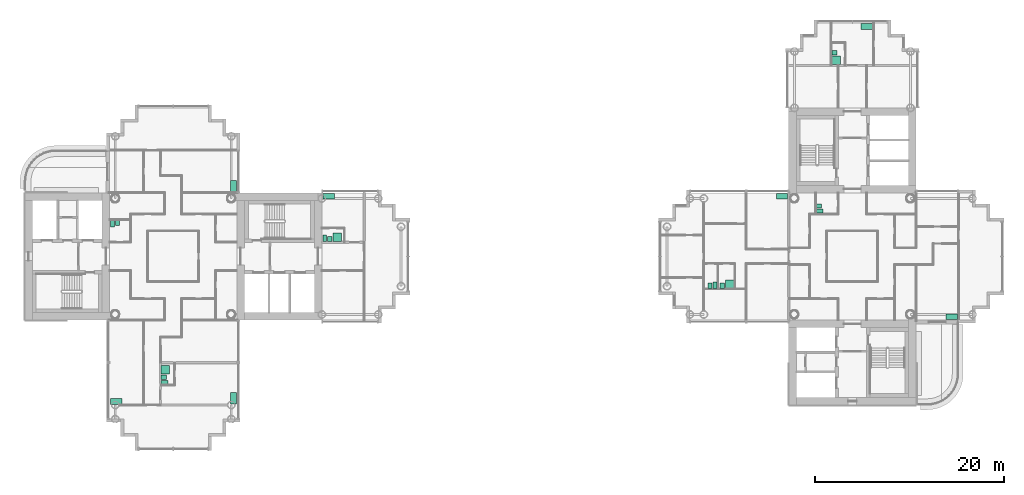
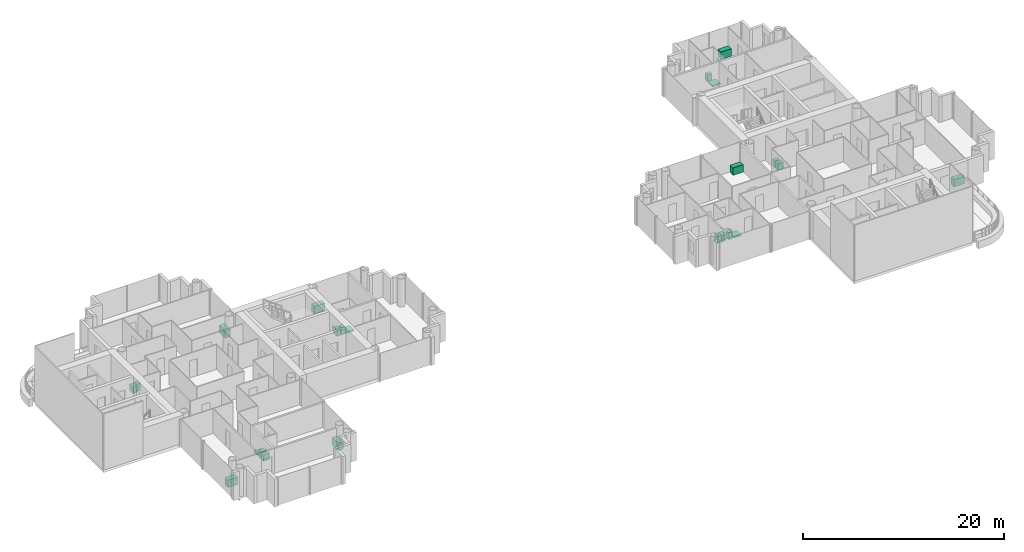
# One storey, part 20 of 20: 23 sanitary terminals.
"""IFC4 building model written with IfcOpenShell, lengths in metres."""

import ifcopenshell
import ifcopenshell.guid

model = None  # the IFC model being written
_history = None  # IfcOwnerHistory: only IFC2X3 demands one
_inside = {}  # id of a spatial element -> (the spatial element, [elements in it])
_under = {}  # id of a project, library or spatial element -> (it, [spatial elements below it])
_declared = {}  # id of a project -> (the project, [libraries it declares])
_typed = {}  # id of a type object -> (the type object, [elements of that type])
_made_of = {}  # id of a material, layer set ... -> (it, [elements and type objects made of it])


def new_model(schema):
    """Start an empty IFC model of exactly this schema.

    Asked for "IFC4X3", IfcOpenShell would pick the latest addendum, in which some entities
    have other attributes; the version numbers below select the first issue.
    IFC2X3 requires an IfcOwnerHistory on every rooted entity: one is made here for all.
    """
    global model, _history
    if schema == "IFC4X3":
        model = ifcopenshell.file(schema_version=(4, 3, 0, 0))
    else:
        model = ifcopenshell.file(schema=schema)
    _inside.clear()
    _under.clear()
    _declared.clear()
    _typed.clear()
    _made_of.clear()
    _history = None
    if model.schema == "IFC2X3":
        org = make("IfcOrganization", Name="unknown")
        user = make(
            "IfcPersonAndOrganization",
            ThePerson=make("IfcPerson", FamilyName="unknown"),
            TheOrganization=org,
        )
        app = make(
            "IfcApplication",
            ApplicationDeveloper=org,
            Version="unknown",
            ApplicationFullName="unknown",
            ApplicationIdentifier="unknown",
        )
        _history = make(
            "IfcOwnerHistory",
            OwningUser=user,
            OwningApplication=app,
            ChangeAction="ADDED",
            CreationDate=0,
        )
    return model


def make(cls, **values):
    """One entity of the class cls with the attributes given. An attribute that is None is left unset."""
    return model.create_entity(
        cls, **{name: value for name, value in values.items() if value is not None}
    )


def rooted(cls, **values):
    """An entity with a GlobalId (a new one), such as an element, a storey or a relation."""
    return make(cls, GlobalId=ifcopenshell.guid.new(), OwnerHistory=_history, **values)


def si_unit(unit_type, name, prefix=None):
    """IfcSIUnit, for example si_unit("LENGTHUNIT", "METRE", prefix="MILLI")."""
    return make("IfcSIUnit", UnitType=unit_type, Prefix=prefix, Name=name)


def assignment(units):
    """IfcUnitAssignment: the units of a project."""
    return None if units is None else make("IfcUnitAssignment", Units=units)


def point(xyz):
    """IfcCartesianPoint."""
    return None if xyz is None else make("IfcCartesianPoint", Coordinates=xyz)


def direction(xyz):
    """IfcDirection."""
    return None if xyz is None else make("IfcDirection", DirectionRatios=xyz)


def frame(location, z_axis=None, x_axis=None):
    """IfcAxis2Placement3D, a coordinate frame: its origin and axes. An axis left out is left unset."""
    return make(
        "IfcAxis2Placement3D",
        Location=point(location),
        Axis=direction(z_axis),
        RefDirection=direction(x_axis),
    )


def frame_2d(location, x_axis=None):
    """IfcAxis2Placement2D, a coordinate frame in the plane: its origin and x axis."""
    return make(
        "IfcAxis2Placement2D", Location=point(location), RefDirection=direction(x_axis)
    )


def origin():
    """The frame at (0, 0, 0) with its axes left unset."""
    return frame((0.0, 0.0, 0.0))


def origin_2d():
    """The frame at (0, 0) in the plane with its x axis left unset."""
    return frame_2d((0.0, 0.0))


def place(relative_to, where):
    """IfcLocalPlacement: puts the frame where relative to a parent placement (None: the world)."""
    return make(
        "IfcLocalPlacement", PlacementRelTo=relative_to, RelativePlacement=where
    )


def context(
    kind, dimensions, precision=None, world=None, true_north=None, identifier=None
):
    """IfcGeometricRepresentationContext, for example the 3D "Model" context."""
    return make(
        "IfcGeometricRepresentationContext",
        ContextIdentifier=identifier,
        ContextType=kind,
        CoordinateSpaceDimension=dimensions,
        Precision=precision,
        WorldCoordinateSystem=world,
        TrueNorth=true_north,
    )


def subcontext(parent, identifier, kind, view, scale=None):
    """IfcGeometricRepresentationSubContext, for example "Body" below "Model"."""
    return make(
        "IfcGeometricRepresentationSubContext",
        ContextIdentifier=identifier,
        ContextType=kind,
        ParentContext=parent,
        TargetScale=scale,
        TargetView=view,
    )


def project(units=None, contexts=None):
    """IfcProject with its units and contexts."""
    return rooted(
        "IfcProject",
        Name="project",
        RepresentationContexts=contexts,
        UnitsInContext=assignment(units),
    )


def spatial(cls, under=None, at=None, **own):
    """A site, building, storey or space (cls), placed at a placement, below another one or the project."""
    s = rooted(cls, ObjectPlacement=at, **own)
    if under is not None:
        _under.setdefault(under.id(), (under, []))[1].append(s)
    return s


def profile(cls, at=None, kind="AREA", **sizes):
    """A parametric profile (cls). Its sizes go by their IFC names, for example OverallWidth=200.0."""
    return make(cls, ProfileType=kind, Position=at, **sizes)


def rectangle(**sizes):
    """IfcRectangleProfileDef."""
    return profile("IfcRectangleProfileDef", **sizes)


def extrude(swept, where, along, depth):
    """IfcExtrudedAreaSolid: the profile swept, set in the frame where, extruded along a direction by depth."""
    return make(
        "IfcExtrudedAreaSolid",
        SweptArea=swept,
        Position=where,
        ExtrudedDirection=direction(along),
        Depth=depth,
    )


def shape(context_of_items, identifier, shape_type, items):
    """IfcShapeRepresentation: the items that make up one representation, for example the "Body"."""
    return make(
        "IfcShapeRepresentation",
        ContextOfItems=context_of_items,
        RepresentationIdentifier=identifier,
        RepresentationType=shape_type,
        Items=items,
    )


def material(Name=None, Category=None):
    """IfcMaterial."""
    return make("IfcMaterial", Name=Name, Category=Category)


def made_of(thing, what):
    """Note that an element or type object is made of a material, layer set ...; save() writes the relation."""
    if what is not None:
        _made_of.setdefault(what.id(), (what, []))[1].append(thing)
    return thing


def type_object(cls, material=None, **own):
    """A type object (cls), such as IfcWallType, which elements share."""
    return made_of(rooted(cls, **own), material)


def element(
    cls,
    number,
    at=None,
    inside=None,
    cuts=None,
    type_object=None,
    material=None,
    context=None,
    identifier="Body",
    shape_type=None,
    held_by="IfcProductDefinitionShape",
    body=None,
    shapes=None,
    **own,
):
    """One element of the class cls, such as IfcWall. Its Tag is "e" and its number.

    at: its placement. inside: the storey or other place that contains it. cuts: it is an
    opening in that element (IfcRelVoidsElement). A single representation is given by context,
    identifier, shape_type and body (its items); several are given by shapes. held_by: the class
    of the entity that holds the representations. save() writes the other relations.
    """
    e = rooted(cls, Tag="e%d" % number, ObjectPlacement=at, **own)
    if body is not None:
        shapes = [shape(context, identifier, shape_type, body)]
    if shapes is not None:
        e.Representation = make(held_by, Representations=shapes)
    if inside is not None:
        _inside.setdefault(inside.id(), (inside, []))[1].append(e)
    if cuts is not None:
        rooted(
            "IfcRelVoidsElement", RelatingBuildingElement=cuts, RelatedOpeningElement=e
        )
    if type_object is not None:
        _typed.setdefault(type_object.id(), (type_object, []))[1].append(e)
    return made_of(e, material)


def aggregate(whole, parts):
    """IfcRelAggregates: a whole, such as a stair, and the parts it consists of."""
    return rooted("IfcRelAggregates", RelatingObject=whole, RelatedObjects=parts)


def save(model, path):
    """Write the relations noted so far, then the file.

    IfcRelAggregates (storeys below a building ...), IfcRelContainedInSpatialStructure (elements
    in a storey), IfcRelDefinesByType, IfcRelAssociatesMaterial and IfcRelDeclares: one each for
    every whole, place, type object, material and project.
    """
    for whole, parts in _under.values():
        aggregate(whole, parts)
    for where, things in _inside.values():
        rooted(
            "IfcRelContainedInSpatialStructure",
            RelatedElements=things,
            RelatingStructure=where,
        )
    for kind, things in _typed.values():
        rooted("IfcRelDefinesByType", RelatedObjects=things, RelatingType=kind)
    for what, things in _made_of.values():
        rooted("IfcRelAssociatesMaterial", RelatedObjects=things, RelatingMaterial=what)
    for by, libraries in _declared.values():
        rooted("IfcRelDeclares", RelatingContext=by, RelatedDefinitions=libraries)
    model.write(path)


model = new_model("IFC4")

# Units and contexts
model_context = context("Model", 3, precision=1e-05, world=origin(), true_north=direction((0.0, 1.0)))
body_context = subcontext(model_context, "Body", "Model", "MODEL_VIEW")
ifc_project = project(units=[si_unit("LENGTHUNIT", "METRE"), si_unit("AREAUNIT", "SQUARE_METRE"), si_unit("VOLUMEUNIT", "CUBIC_METRE"), si_unit("PLANEANGLEUNIT", "RADIAN"), si_unit("MASSUNIT", "GRAM", prefix="KILO")], contexts=[model_context])

# Site, building, storey
site_placement = place(None, origin())
site = spatial("IfcSite", under=ifc_project, at=site_placement, CompositionType="ELEMENT")
building_placement = place(site_placement, origin())
building = spatial("IfcBuilding", under=site, at=building_placement, Name="Ipe Terrace Towers", CompositionType="ELEMENT")
storey_placement = place(building_placement, frame((0.0, 0.0, 154.10009765625)))
storey = spatial("IfcBuildingStorey", under=building, at=storey_placement, Name="L42", CompositionType="ELEMENT", Elevation=154.10009765625)

# Sanitary terminals
ifc_material_1 = material(Name="Stainless sink unit", Category="metal")
sanitary_terminal_type_1 = type_object("IfcSanitaryTerminalType", Name="Kitchen sink unit", PredefinedType="SINK", material=ifc_material_1)
for number, where, z_axis, x_axis, name in (
    (1, (-29.6201171875, 7.469970703125, 0.0), (0.0, 0.0, 1.0), (0.0, -1.0, 0.0), "Kitchen sink unit"),
    (2, (-29.6201171875, -15.030029296875, 0.0), (0.0, 0.0, 1.0), (0.0, -1.0, 0.0), "Kitchen sink unit"),
    (3, (-42.030029296875, -15.3798828125, 0.0), (0.0, 0.0, 1.0), (-1.0, 0.0, 0.0), "Kitchen sink unit"),
    (4, (-19.530029296875, 6.3798828125, 0.0), (0.0, 0.0, 1.0), (1.0, 0.0, 0.0), "Kitchen sink unit"),
    (5, (28.530029296875, 6.3798828125, 0.0), (0.0, 0.0, 1.0), (1.0, 0.0, 0.0), "Kitchen sink unit"),
    (6, (46.530029296875, -6.3798828125, 0.0), (0.0, 0.0, 1.0), (-1.0, 0.0, 0.0), "Kitchen sink unit"),
    (7, (37.530029296875, 24.3798828125, 0.0), (0.0, 0.0, 1.0), (1.0, 0.0, 0.0), "Kitchen sink unit"),
):
    element("IfcSanitaryTerminal", number, at=place(storey_placement, frame(where, z_axis=z_axis, x_axis=x_axis)), inside=storey, type_object=sanitary_terminal_type_1, Name=name, PredefinedType="SINK", context=body_context, shape_type="SweptSolid", body=[
        extrude(rectangle(XDim=1.199951171875, YDim=0.60009765625, at=origin_2d()), origin(), (0.0, 0.0, 1.0), 0.89990234375),
    ])
ifc_material_2 = material(Name="Acrylic", Category="plastic")
sanitary_terminal_type_2 = type_object("IfcSanitaryTerminalType", Name="Shower tray", PredefinedType="SHOWER", material=ifc_material_2)
for number, where, z_axis, x_axis, name in (
    (8, (-36.830078125, -12.030029296875, 0.0), (0.0, 0.0, 1.0), (1.0, 0.0, 0.0), "Shower tray"),
    (9, (-18.6298828125, 2.02001953125, 0.0), (0.0, 0.0, 1.0), (0.0, 1.0, 0.0), "Shower tray"),
    (10, (22.97998046875, -2.929931640625, 0.0), (0.0, 0.0, 1.0), (0.0, 1.0, 0.0), "Shower tray"),
    (11, (34.27001953125, 20.820068359375, 0.0), (0.0, 0.0, 1.0), (1.0, 0.0, 0.0), "Shower tray"),
):
    element("IfcSanitaryTerminal", number, at=place(storey_placement, frame(where, z_axis=z_axis, x_axis=x_axis)), inside=storey, type_object=sanitary_terminal_type_2, Name=name, PredefinedType="SHOWER", context=body_context, shape_type="SweptSolid", body=[
        extrude(rectangle(XDim=0.89990234375, YDim=0.89990234375, at=origin_2d()), origin(), (0.0, 0.0, 1.0), 0.14990234375),
    ])
ifc_material_3 = material(Name="Vitreous china", Category="ceramic")
sanitary_terminal_type_3 = type_object("IfcSanitaryTerminalType", Name="Wash basin", PredefinedType="WASHHANDBASIN", material=ifc_material_3)
for number, where, z_axis, x_axis, name in (
    (12, (-41.905029296875, 3.554931640625, -0.000244140625), (0.0, 0.0, 1.0), (0.0, -1.0, 0.0), "Wash basin"),
    (13, (-37.0048828125, -12.804931640625, -0.000244140625), (0.0, 0.0, 1.0), (1.0, 0.0, 0.0), "Wash basin"),
    (14, (-19.405029296875, 1.844970703125, -0.000244140625), (0.0, 0.0, 1.0), (0.0, 1.0, 0.0), "Wash basin"),
    (15, (32.445068359375, 5.344970703125, -0.000244140625), (0.0, 0.0, 1.0), (1.0, 0.0, 0.0), "Wash basin"),
    (16, (22.205078125, -3.10498046875, -0.000244140625), (0.0, 0.0, 1.0), (0.0, 1.0, 0.0), "Wash basin"),
    (17, (20.905029296875, -3.10498046875, -0.000244140625), (0.0, 0.0, 1.0), (0.0, 1.0, 0.0), "Wash basin"),
    (18, (34.094970703125, 21.594970703125, -0.000244140625), (0.0, 0.0, 1.0), (1.0, 0.0, 0.0), "Wash basin"),
):
    element("IfcSanitaryTerminal", number, at=place(storey_placement, frame(where, z_axis=z_axis, x_axis=x_axis)), inside=storey, type_object=sanitary_terminal_type_3, Name=name, PredefinedType="WASHHANDBASIN", context=body_context, shape_type="SweptSolid", body=[
        extrude(rectangle(XDim=0.550048828125, YDim=0.449951171875, at=origin_2d()), origin(), (0.0, 0.0, 1.0), 0.85009765625),
    ])
ifc_material_4 = material(Name="Vitreous china", Category="ceramic")
sanitary_terminal_type_4 = type_object("IfcSanitaryTerminalType", Name="Water closet", PredefinedType="TOILETPAN", material=ifc_material_4)
for number, where, z_axis, x_axis, name in (
    (19, (-42.429931640625, 3.47998046875, 0.0), (0.0, 0.0, 1.0), (0.0, -1.0, 0.0), "Water closet"),
    (20, (-36.929931640625, -13.330078125, 0.0), (0.0, 0.0, 1.0), (1.0, 0.0, 0.0), "Water closet"),
    (21, (-19.929931640625, 1.919921875, 0.0), (0.0, 0.0, 1.0), (0.0, 1.0, 0.0), "Water closet"),
    (22, (32.52001953125, 4.820068359375, 0.0), (0.0, 0.0, 1.0), (1.0, 0.0, 0.0), "Water closet"),
    (23, (21.429931640625, -3.030029296875, 0.0), (0.0, 0.0, 1.0), (0.0, 1.0, 0.0), "Water closet"),
):
    element("IfcSanitaryTerminal", number, at=place(storey_placement, frame(where, z_axis=z_axis, x_axis=x_axis)), inside=storey, type_object=sanitary_terminal_type_4, Name=name, PredefinedType="TOILETPAN", context=body_context, shape_type="SweptSolid", body=[
        extrude(rectangle(XDim=0.699951171875, YDim=0.39990234375, at=origin_2d()), origin(), (0.0, 0.0, 1.0), 0.780029296875),
    ])

save(model, "model.ifc")
